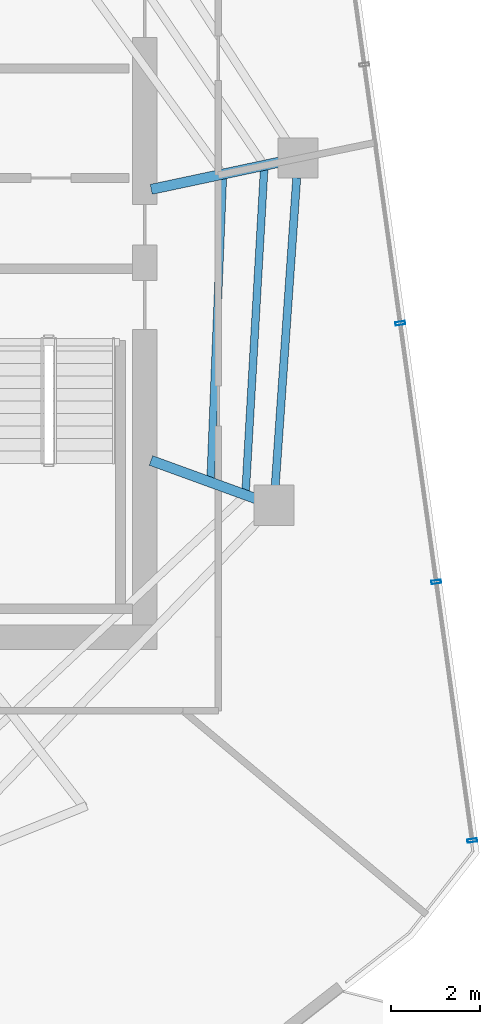
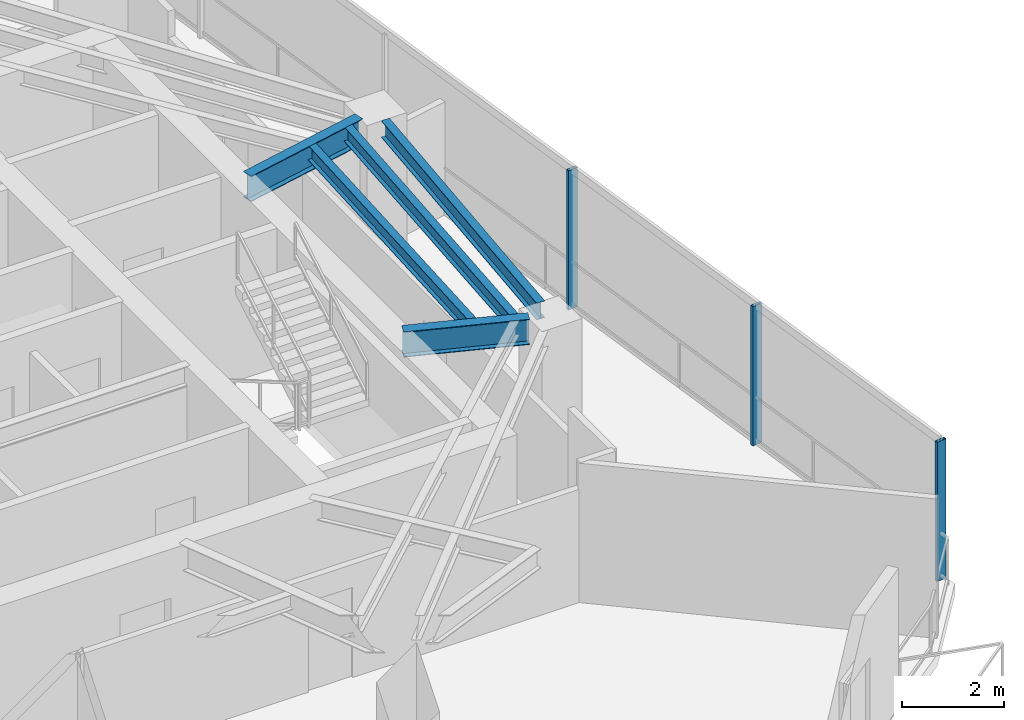
# One storey, part 9 of 19: 5 beams, 3 members, 1 element without a shape of its own.
"""IFC4 building model written with IfcOpenShell, lengths in metres."""

from ifc_helpers import new_model, si_unit, direction, frame, origin, origin_2d, place, context, subcontext, project, spatial, hollow_rectangle, i_section, extrude, material, layer, layer_set, material_profile, profile_set, type_object, element, aggregate, save


model = new_model("IFC4")

# Units and contexts
model_context = context("Model", 3, precision=1e-05, world=origin(), true_north=direction((0.0, 1.0)))
body_context = subcontext(model_context, "Body", "Model", "MODEL_VIEW")
ifc_project = project(units=[si_unit("LENGTHUNIT", "METRE"), si_unit("AREAUNIT", "SQUARE_METRE"), si_unit("VOLUMEUNIT", "CUBIC_METRE"), si_unit("PLANEANGLEUNIT", "RADIAN"), si_unit("MASSUNIT", "GRAM", prefix="KILO")], contexts=[model_context])

# Site, building, storey
site_placement = place(None, origin())
site = spatial("IfcSite", under=ifc_project, at=site_placement, CompositionType="ELEMENT")
building_placement = place(site_placement, origin())
building = spatial("IfcBuilding", under=site, at=building_placement, Name="Qarnah Convention Tower", CompositionType="ELEMENT")
storey_placement = place(building_placement, frame((0.0, 0.0, 209.39990234375)))
storey = spatial("IfcBuildingStorey", under=building, at=storey_placement, Name="L56", CompositionType="ELEMENT", Elevation=209.39990234375)

# Beams
ifc_material_1 = material(Name="Structural steel S355JR", Category="steel")
ifc_material_profile_1 = material_profile(ifc_material_1, i_section(OverallWidth=0.172119140625, OverallDepth=0.35595703125, WebThickness=0.007080078125, FlangeThickness=0.011962890625, at=origin_2d()), Name="W360X51")
ifc_profile_set_1 = profile_set([ifc_material_profile_1], Name="Structural steel S355JR")
beam_type_1 = type_object("IfcBeamType", Name="BM-JST-W360", PredefinedType="JOIST", material=ifc_profile_set_1)
beam_1_placement = place(storey_placement, frame((49.864990234375, 21.882080078125, 3.14208984375), z_axis=(0.057342500082, 0.998354565114, 0.0), x_axis=(-0.998354565114, 0.057342500082, 0.0)))
element("IfcBeam", 1, at=beam_1_placement, inside=storey, type_object=beam_type_1, Name="L56 joist BM-L56-SJST-09", PredefinedType="JOIST", context=body_context, shape_type="SweptSolid", body=[
    extrude(i_section(OverallWidth=0.172119140625, OverallDepth=0.35595703125, WebThickness=0.007080078125, FlangeThickness=0.011962890625, at=origin_2d()), origin(), (0.0, 0.0, 1.0), 7.220947265625),
])
beam_2_placement = place(storey_placement, frame((49.0810546875, 22.166015625, 3.14208984375), z_axis=(0.040101253975, 0.999195621202, 0.0), x_axis=(-0.999195621202, 0.040101253975, 0.0)))
element("IfcBeam", 2, at=beam_2_placement, inside=storey, type_object=beam_type_1, Name="L56 joist BM-L56-IJST-09", PredefinedType="JOIST", context=body_context, shape_type="SweptSolid", body=[
    extrude(i_section(OverallWidth=0.172119140625, OverallDepth=0.35595703125, WebThickness=0.007080078125, FlangeThickness=0.011962890625, at=origin_2d()), origin(), (0.0, 0.0, 1.0), 6.7333984375),
])
ifc_material_profile_2 = material_profile(ifc_material_1, i_section(OverallWidth=0.22802734375, OverallDepth=0.60791015625, WebThickness=0.010986328125, FlangeThickness=0.01708984375, at=origin_2d()), Name="W610X113")
ifc_profile_set_2 = profile_set([ifc_material_profile_2], Name="Structural steel S355JR")
beam_type_2 = type_object("IfcBeamType", Name="BM-RAD-W610B", PredefinedType="BEAM", material=ifc_profile_set_2)
beam_3_placement = place(storey_placement, frame((47.7470703125, 28.64208984375, 3.01611328125), z_axis=(0.978136876062, 0.207962140033, 0.0), x_axis=(-0.207962140033, 0.978136876062, 0.0)))
element("IfcBeam", 3, at=beam_3_placement, inside=storey, type_object=beam_type_2, Name="L56 beam BM-L56-RAD-01", PredefinedType="BEAM", context=body_context, shape_type="SweptSolid", body=[
    extrude(i_section(OverallWidth=0.22802734375, OverallDepth=0.60791015625, WebThickness=0.010986328125, FlangeThickness=0.01708984375, at=origin_2d()), origin(), (0.0, 0.0, 1.0), 2.937255859375),
])
beam_4_placement = place(storey_placement, frame((47.740966796875, 22.56298828125, 3.01611328125), z_axis=(0.939707956932, -0.341978004671, 0.0), x_axis=(0.341978004671, 0.939707956932, 0.0)))
element("IfcBeam", 4, at=beam_4_placement, inside=storey, type_object=beam_type_2, Name="L56 beam BM-L56-RAD-09", PredefinedType="BEAM", context=body_context, shape_type="SweptSolid", body=[
    extrude(i_section(OverallWidth=0.22802734375, OverallDepth=0.60791015625, WebThickness=0.010986328125, FlangeThickness=0.01708984375, at=origin_2d()), origin(), (0.0, 0.0, 1.0), 2.5029296875),
])
ifc_material_profile_3 = material_profile(ifc_material_1, i_section(OverallWidth=0.179931640625, OverallDepth=0.39990234375, WebThickness=0.009033203125, FlangeThickness=0.013916015625, at=origin_2d()), Name="IPE400")
ifc_profile_set_3 = profile_set([ifc_material_profile_3], Name="Structural steel S355JR")
beam_type_3 = type_object("IfcBeamType", Name="BM-SPN-IPE400", PredefinedType="SPANDREL", material=ifc_profile_set_3)
beam_5_placement = place(storey_placement, frame((50.528076171875, 21.9990234375, 3.1201171875), z_axis=(0.069635000818, 0.997572537042, 0.0), x_axis=(-0.997572537042, 0.069635000818, 0.0)))
element("IfcBeam", 5, at=beam_5_placement, inside=storey, type_object=beam_type_3, Name="L56 spandrel BM-L56-SPN-09", PredefinedType="SPANDREL", context=body_context, shape_type="SweptSolid", body=[
    extrude(i_section(OverallWidth=0.179931640625, OverallDepth=0.39990234375, WebThickness=0.009033203125, FlangeThickness=0.013916015625, at=origin_2d()), origin(), (0.0, 0.0, 1.0), 6.9208984375),
])

# Curtain wall, members
ifc_material_2 = material(Name="Tempered Low-E dark glass", Category="glass")
ifc_layer = layer(ifc_material_2, 0.174072265625)
ifc_layer_set = layer_set([ifc_layer], Name="Tempered Low-E dark glass")
curtain_wall_type = type_object("IfcCurtainWallType", Name="CWS-04", PredefinedType="NOTDEFINED", material=ifc_layer_set)
curtain_wall_placement = place(storey_placement, origin())
curtain_wall = element("IfcCurtainWall", 6, at=curtain_wall_placement, inside=storey, type_object=curtain_wall_type, Name="L56 unitised curtain wall CW-L56-F1", PredefinedType="NOTDEFINED")
ifc_material_3 = material(Name="Black anodised aluminium", Category="aluminium")
ifc_material_profile_4 = material_profile(ifc_material_3, hollow_rectangle(XDim=0.074951171875, YDim=0.219970703125, WallThickness=0.0048828125, at=origin_2d()), Name="MUL-75X220")
ifc_profile_set_4 = profile_set([ifc_material_profile_4], Name="Black anodised aluminium")
member_type = type_object("IfcMemberType", Name="MUL-T4", PredefinedType="MULLION", material=ifc_profile_set_4)
member_1_placement = place(storey_placement, frame((53.331298828125, 25.6396484375, 0.0), z_axis=(0.0, 0.0, 1.0), x_axis=(0.13780482888, -0.990459403074, 0.0)))
member_1 = element("IfcMember", 7, at=member_1_placement, type_object=member_type, Name="CW-L56-F1 mullion 4", PredefinedType="MULLION", context=body_context, shape_type="SweptSolid", body=[
    extrude(hollow_rectangle(XDim=0.074951171875, YDim=0.219970703125, WallThickness=0.0048828125, at=origin_2d()), origin(), (0.0, 0.0, 1.0), 3.320068359375),
])
member_2_placement = place(storey_placement, frame((54.13818359375, 19.8408203125, 0.0), z_axis=(0.0, 0.0, 1.0), x_axis=(0.13780482888, -0.990459403074, 0.0)))
member_2 = element("IfcMember", 8, at=member_2_placement, type_object=member_type, Name="CW-L56-F1 mullion 5", PredefinedType="MULLION", context=body_context, shape_type="SweptSolid", body=[
    extrude(hollow_rectangle(XDim=0.074951171875, YDim=0.219970703125, WallThickness=0.0048828125, at=origin_2d()), origin(), (0.0, 0.0, 1.0), 3.320068359375),
])
member_3_placement = place(storey_placement, frame((54.945068359375, 14.0419921875, 0.0), z_axis=(0.0, 0.0, 1.0), x_axis=(0.13780482888, -0.990459403074, 0.0)))
member_3 = element("IfcMember", 9, at=member_3_placement, type_object=member_type, Name="CW-L56-F1 mullion 6", PredefinedType="MULLION", context=body_context, shape_type="SweptSolid", body=[
    extrude(hollow_rectangle(XDim=0.074951171875, YDim=0.219970703125, WallThickness=0.0048828125, at=origin_2d()), origin(), (0.0, 0.0, 1.0), 3.320068359375),
])
aggregate(curtain_wall, [member_1, member_2, member_3])

save(model, "model.ifc")
